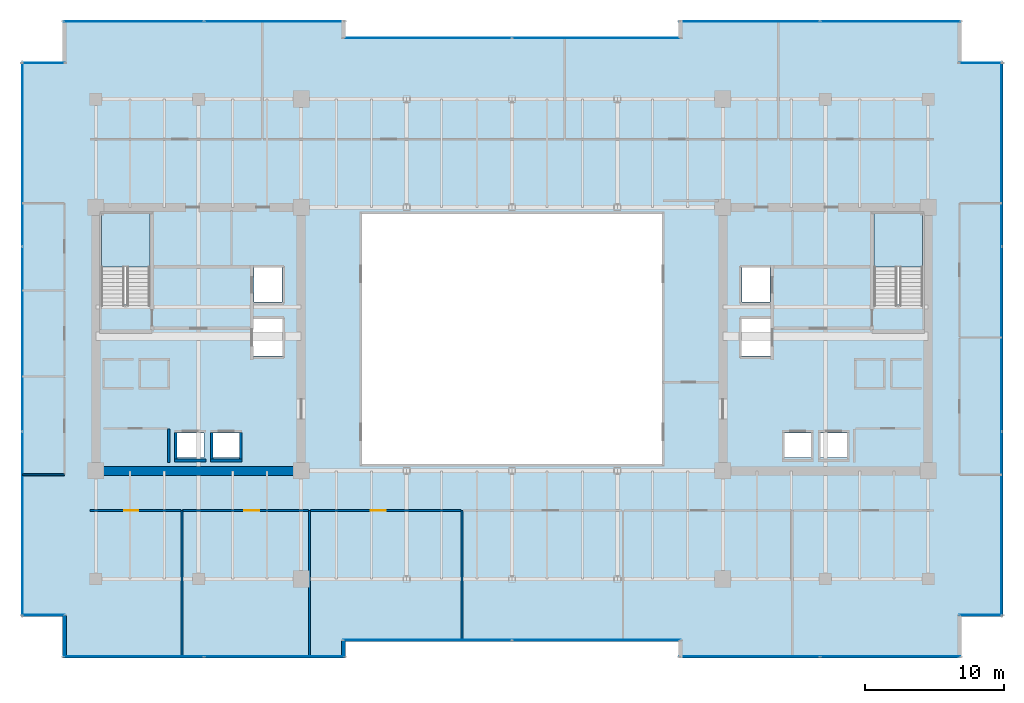
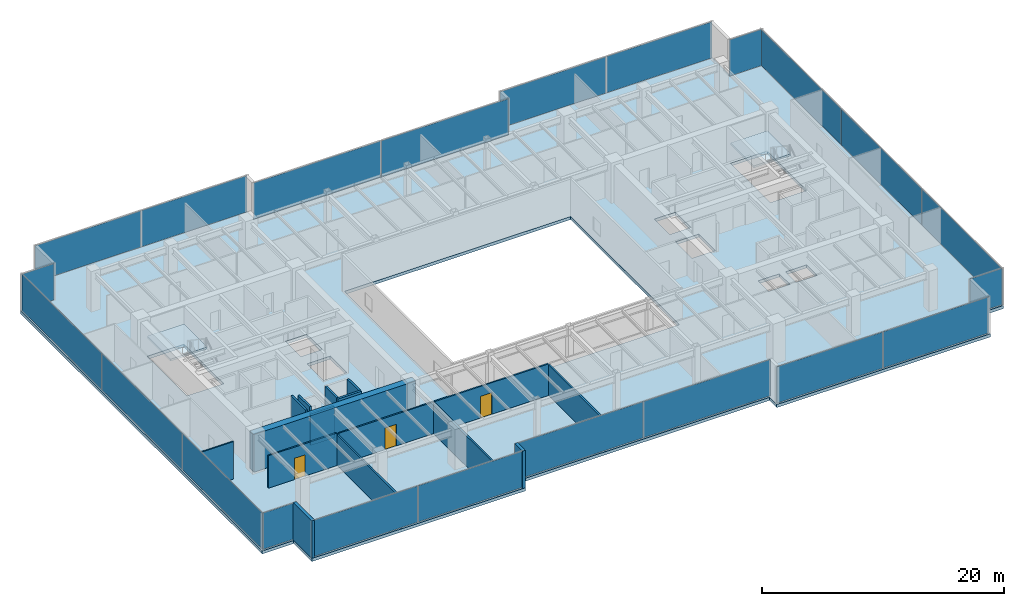
# One storey, part 24 of 30: 22 plates, 16 walls, 3 doors, 3 slabs, 3 openings, 14 elements without a shape of their own.
"""IFC4 building model written with IfcOpenShell, lengths in metres."""

from ifc_helpers import new_model, si_unit, direction, frame, frame_2d, origin, origin_2d, place, context, subcontext, project, spatial, polyline, rectangle, outline, extrude, source, transform, mapped, material, layer, layer_set, type_object, type_shapes, element, fill, aggregate, save


model = new_model("IFC4")

# Units and contexts
model_context = context("Model", 3, precision=1e-05, world=origin(), true_north=direction((0.0, 1.0)))
body_context = subcontext(model_context, "Body", "Model", "MODEL_VIEW")
ifc_project = project(units=[si_unit("LENGTHUNIT", "METRE"), si_unit("AREAUNIT", "SQUARE_METRE"), si_unit("VOLUMEUNIT", "CUBIC_METRE"), si_unit("PLANEANGLEUNIT", "RADIAN"), si_unit("MASSUNIT", "GRAM", prefix="KILO")], contexts=[model_context])

# Site, building, storey
site_placement = place(None, origin())
site = spatial("IfcSite", under=ifc_project, at=site_placement, CompositionType="ELEMENT")
building_placement = place(site_placement, origin())
building = spatial("IfcBuilding", under=site, at=building_placement, Name="Haelvirn Gate Laboratories", CompositionType="ELEMENT")
storey_placement = place(building_placement, frame((0.0, 0.0, 162.5)))
storey = spatial("IfcBuildingStorey", under=building, at=storey_placement, Name="L39", CompositionType="ELEMENT", Elevation=162.5)

# Stair, slab
ifc_material_1 = material(Name="Concrete C40/50", Category="concrete")
stair_type = type_object("IfcStairType", Name="ST-DOG-1650-R22", PredefinedType="HALF_TURN_STAIR", material=ifc_material_1)
stair_1_placement = place(storey_placement, origin())
stair_1 = element("IfcStair", 1, at=stair_1_placement, inside=storey, type_object=stair_type, Name="L39 Escape Stair ST1", PredefinedType="HALF_TURN_STAIR")
ifc_layer_1 = layer(ifc_material_1, 0.199951171875, Name="SL-STAIR-LND")
ifc_layer_set_1 = layer_set([ifc_layer_1], Name="Concrete C40/50")
slab_type_1 = type_object("IfcSlabType", Name="SL-STAIR-LND", PredefinedType="LANDING", material=ifc_layer_set_1)
slab_1_placement = place(storey_placement, frame((0.0, 0.0, 1.85009765625)))
slab_1 = element("IfcSlab", 2, at=slab_1_placement, type_object=slab_type_1, Name="ST1 landing 1", PredefinedType="LANDING", context=body_context, shape_type="SweptSolid", body=[
    extrude(outline(polyline([(11.300048828125, 29.5), (11.300048828125, 33.35009765625), (7.800048828125, 33.35009765625), (7.800048828125, 29.5), (11.300048828125, 29.5)])), origin(), (0.0, 0.0, 1.0), 0.199951171875),
])
aggregate(stair_1, [slab_1])

stair_2_placement = place(storey_placement, origin())
stair_2 = element("IfcStair", 3, at=stair_2_placement, inside=storey, type_object=stair_type, Name="L39 Escape Stair ST2", PredefinedType="HALF_TURN_STAIR")
slab_2_placement = place(storey_placement, frame((0.0, 0.0, 1.85009765625)))
slab_2 = element("IfcSlab", 4, at=slab_2_placement, type_object=slab_type_1, Name="ST2 landing 1", PredefinedType="LANDING", context=body_context, shape_type="SweptSolid", body=[
    extrude(outline(polyline([(67.0, 29.5), (67.0, 33.35009765625), (63.5, 33.35009765625), (63.5, 29.5), (67.0, 29.5)])), origin(), (0.0, 0.0, 1.0), 0.199951171875),
])
aggregate(stair_2, [slab_2])

# Slab
ifc_layer_2 = layer(ifc_material_1, 0.31005859375, Name="SL-Z2-310")
ifc_layer_set_2 = layer_set([ifc_layer_2], Name="Concrete C40/50")
slab_type_2 = type_object("IfcSlabType", Name="SL-Z2-310", PredefinedType="FLOOR", material=ifc_layer_set_2)
slab_3_placement = place(storey_placement, frame((0.0, 0.0, -0.31005859375)))
element("IfcSlab", 5, at=slab_3_placement, inside=storey, type_object=slab_type_2, Name="L39 Structural Slab MAIN", PredefinedType="FLOOR", context=body_context, shape_type="SweptSolid", body=[
    extrude(outline(polyline([(5.0, 1.300048828125), (25.39990234375, 1.300048828125), (25.39990234375, 2.5), (49.39990234375, 2.5), (49.39990234375, 1.300048828125), (69.800048828125, 1.300048828125), (69.800048828125, 4.300048828125), (72.800048828125, 4.300048828125), (72.800048828125, 44.300048828125), (69.800048828125, 44.300048828125), (69.800048828125, 47.300048828125), (49.39990234375, 47.300048828125), (49.39990234375, 46.10009765625), (25.39990234375, 46.10009765625), (25.39990234375, 47.300048828125), (5.0, 47.300048828125), (5.0, 44.300048828125), (2.0, 44.300048828125), (2.0, 4.300048828125), (5.0, 4.300048828125), (5.0, 1.300048828125)]), holes=[polyline([(26.60009765625, 15.300048828125), (48.199951171875, 15.300048828125), (48.199951171875, 33.300048828125), (26.60009765625, 33.300048828125), (26.60009765625, 15.300048828125)]), polyline([(11.300048828125, 26.780029296875), (11.300048828125, 33.35009765625), (7.800048828125, 33.35009765625), (7.800048828125, 26.780029296875), (11.300048828125, 26.780029296875)]), polyline([(67.0, 26.780029296875), (67.0, 33.35009765625), (63.5, 33.35009765625), (63.5, 26.780029296875), (67.0, 26.780029296875)]), polyline([(13.18994140625, 15.77001953125), (15.2099609375, 15.77001953125), (15.2099609375, 17.510009765625), (13.18994140625, 17.510009765625), (13.18994140625, 15.77001953125)]), polyline([(15.7900390625, 15.77001953125), (17.81005859375, 15.77001953125), (17.81005859375, 17.510009765625), (15.7900390625, 17.510009765625), (15.7900390625, 15.77001953125)]), polyline([(18.7900390625, 26.969970703125), (20.81005859375, 26.969970703125), (20.81005859375, 29.510009765625), (18.7900390625, 29.510009765625), (18.7900390625, 26.969970703125)]), polyline([(18.68994140625, 23.070068359375), (20.909912109375, 23.070068359375), (20.909912109375, 25.81005859375), (18.68994140625, 25.81005859375), (18.68994140625, 23.070068359375)]), polyline([(59.590087890625, 15.77001953125), (61.610107421875, 15.77001953125), (61.610107421875, 17.510009765625), (59.590087890625, 17.510009765625), (59.590087890625, 15.77001953125)]), polyline([(56.989990234375, 15.77001953125), (59.010009765625, 15.77001953125), (59.010009765625, 17.510009765625), (56.989990234375, 17.510009765625), (56.989990234375, 15.77001953125)]), polyline([(53.989990234375, 26.969970703125), (56.010009765625, 26.969970703125), (56.010009765625, 29.510009765625), (53.989990234375, 29.510009765625), (53.989990234375, 26.969970703125)]), polyline([(53.889892578125, 23.070068359375), (56.110107421875, 23.070068359375), (56.110107421875, 25.81005859375), (53.889892578125, 25.81005859375), (53.889892578125, 23.070068359375)])]), origin(), (0.0, 0.0, 1.0), 0.31005859375),
])

# Curtain wall, plates
ifc_material_2 = material(Name="Anodised bronze unitised aluminium & triple low-E glass", Category="aluminium")
ifc_layer_3 = layer(ifc_material_2, 0.179931640625, Name="CW-SYS-3")
ifc_layer_set_3 = layer_set([ifc_layer_3], Name="Anodised bronze unitised aluminium & triple low-E glass")
curtain_wall_type_1 = type_object("IfcCurtainWallType", Name="CW-SYS-3", PredefinedType="NOTDEFINED", material=ifc_layer_set_3)
curtain_wall_1_placement = place(storey_placement, origin())
curtain_wall_1 = element("IfcCurtainWall", 6, at=curtain_wall_1_placement, inside=storey, type_object=curtain_wall_type_1, Name="L39 Unitised Curtain Wall CW-L39-P0-E00-1", PredefinedType="NOTDEFINED")
ifc_material_3 = material(Name="High-selectivity bronze triple IGU 40 mm", Category="glass")
ifc_layer_4 = layer(ifc_material_3, 0.0400390625, Name="CWP-IGU-40")
ifc_layer_set_4 = layer_set([ifc_layer_4], Name="High-selectivity bronze triple IGU 40 mm")
plate_type_1 = type_object("IfcPlateType", Name="CWP-IGU-40", PredefinedType="CURTAIN_PANEL", material=ifc_layer_set_4)
shared_shape_1 = source(origin(), body_context, "Body", "SweptSolid", [
    extrude(rectangle(XDim=10.08740234375, YDim=0.0400390625, at=origin_2d()), origin(), (0.0, 0.0, 1.0), 3.659912109375),
])
plate_1_placement = place(storey_placement, frame((10.11865234375, 1.39990234375, 0.06494140625), z_axis=(0.0, 0.0, 1.0), x_axis=(1.0, 0.0, 0.0)))
plate_1 = element("IfcPlate", 7, at=plate_1_placement, type_object=plate_type_1, Name="CW3 panel 1.1", PredefinedType="CURTAIN_PANEL", context=body_context, shape_type="MappedRepresentation", body=[
    mapped(shared_shape_1, transform((0.0, 0.0, 0.0), scale=1.0)),
])
plate_2_placement = place(storey_placement, frame((20.28125, 1.39990234375, 0.06494140625), z_axis=(0.0, 0.0, 1.0), x_axis=(1.0, 0.0, 0.0)))
plate_2 = element("IfcPlate", 8, at=plate_2_placement, type_object=plate_type_1, Name="CW3 panel 2.1", PredefinedType="CURTAIN_PANEL", context=body_context, shape_type="MappedRepresentation", body=[
    mapped(shared_shape_1, transform((0.0, 0.0, 0.0), scale=1.0)),
])
aggregate(curtain_wall_1, [plate_1, plate_2])

curtain_wall_2_placement = place(storey_placement, origin())
curtain_wall_2 = element("IfcCurtainWall", 9, at=curtain_wall_2_placement, inside=storey, type_object=curtain_wall_type_1, Name="L39 Unitised Curtain Wall CW-L39-P0-E04-1", PredefinedType="NOTDEFINED")
plate_3_placement = place(storey_placement, frame((54.518798828125, 1.39990234375, 0.06494140625), z_axis=(0.0, 0.0, 1.0), x_axis=(1.0, 0.0, 0.0)))
plate_3 = element("IfcPlate", 10, at=plate_3_placement, type_object=plate_type_1, Name="CW3 panel 1.1", PredefinedType="CURTAIN_PANEL", context=body_context, shape_type="MappedRepresentation", body=[
    mapped(shared_shape_1, transform((0.0, 0.0, 0.0), scale=1.0)),
])
plate_4_placement = place(storey_placement, frame((64.68115234375, 1.39990234375, 0.06494140625), z_axis=(0.0, 0.0, 1.0), x_axis=(1.0, 0.0, 0.0)))
plate_4 = element("IfcPlate", 11, at=plate_4_placement, type_object=plate_type_1, Name="CW3 panel 2.1", PredefinedType="CURTAIN_PANEL", context=body_context, shape_type="MappedRepresentation", body=[
    mapped(shared_shape_1, transform((0.0, 0.0, 0.0), scale=1.0)),
])
aggregate(curtain_wall_2, [plate_3, plate_4])

curtain_wall_3_placement = place(storey_placement, origin())
curtain_wall_3 = element("IfcCurtainWall", 12, at=curtain_wall_3_placement, inside=storey, type_object=curtain_wall_type_1, Name="L39 Unitised Curtain Wall CW-L39-P0-E10-1", PredefinedType="NOTDEFINED")
plate_5_placement = place(storey_placement, frame((54.518798828125, 47.199951171875, 0.06494140625), z_axis=(0.0, 0.0, 1.0), x_axis=(1.0, 0.0, 0.0)))
plate_5 = element("IfcPlate", 13, at=plate_5_placement, type_object=plate_type_1, Name="CW3 panel 1.1", PredefinedType="CURTAIN_PANEL", context=body_context, shape_type="MappedRepresentation", body=[
    mapped(shared_shape_1, transform((0.0, 0.0, 0.0), scale=1.0)),
])
plate_6_placement = place(storey_placement, frame((64.68115234375, 47.199951171875, 0.06494140625), z_axis=(0.0, 0.0, 1.0), x_axis=(1.0, 0.0, 0.0)))
plate_6 = element("IfcPlate", 14, at=plate_6_placement, type_object=plate_type_1, Name="CW3 panel 2.1", PredefinedType="CURTAIN_PANEL", context=body_context, shape_type="MappedRepresentation", body=[
    mapped(shared_shape_1, transform((0.0, 0.0, 0.0), scale=1.0)),
])
aggregate(curtain_wall_3, [plate_5, plate_6])

curtain_wall_4_placement = place(storey_placement, origin())
curtain_wall_4 = element("IfcCurtainWall", 15, at=curtain_wall_4_placement, inside=storey, type_object=curtain_wall_type_1, Name="L39 Unitised Curtain Wall CW-L39-P0-E14-1", PredefinedType="NOTDEFINED")
plate_7_placement = place(storey_placement, frame((10.11865234375, 47.199951171875, 0.06494140625), z_axis=(0.0, 0.0, 1.0), x_axis=(1.0, 0.0, 0.0)))
plate_7 = element("IfcPlate", 16, at=plate_7_placement, type_object=plate_type_1, Name="CW3 panel 1.1", PredefinedType="CURTAIN_PANEL", context=body_context, shape_type="MappedRepresentation", body=[
    mapped(shared_shape_1, transform((0.0, 0.0, 0.0), scale=1.0)),
])
plate_8_placement = place(storey_placement, frame((20.28125, 47.199951171875, 0.06494140625), z_axis=(0.0, 0.0, 1.0), x_axis=(1.0, 0.0, 0.0)))
plate_8 = element("IfcPlate", 17, at=plate_8_placement, type_object=plate_type_1, Name="CW3 panel 2.1", PredefinedType="CURTAIN_PANEL", context=body_context, shape_type="MappedRepresentation", body=[
    mapped(shared_shape_1, transform((0.0, 0.0, 0.0), scale=1.0)),
])
aggregate(curtain_wall_4, [plate_7, plate_8])

curtain_wall_5_placement = place(storey_placement, origin())
curtain_wall_5 = element("IfcCurtainWall", 18, at=curtain_wall_5_placement, inside=storey, type_object=curtain_wall_type_1, Name="L39 Unitised Curtain Wall CW-L39-P0-E02-1", PredefinedType="NOTDEFINED")
shared_shape_2 = source(origin(), body_context, "Body", "SweptSolid", [
    extrude(rectangle(XDim=12.12744140625, YDim=0.0400390625, at=origin_2d()), origin(), (0.0, 0.0, 1.0), 3.659912109375),
])
plate_9_placement = place(storey_placement, frame((31.298828125, 2.60009765625, 0.06494140625), z_axis=(0.0, 0.0, 1.0), x_axis=(1.0, 0.0, 0.0)))
plate_9 = element("IfcPlate", 19, at=plate_9_placement, type_object=plate_type_1, Name="CW3 panel 1.1", PredefinedType="CURTAIN_PANEL", context=body_context, shape_type="MappedRepresentation", body=[
    mapped(shared_shape_2, transform((0.0, 0.0, 0.0), scale=1.0)),
])
plate_10_placement = place(storey_placement, frame((43.501220703125, 2.60009765625, 0.06494140625), z_axis=(0.0, 0.0, 1.0), x_axis=(1.0, 0.0, 0.0)))
plate_10 = element("IfcPlate", 20, at=plate_10_placement, type_object=plate_type_1, Name="CW3 panel 2.1", PredefinedType="CURTAIN_PANEL", context=body_context, shape_type="MappedRepresentation", body=[
    mapped(shared_shape_2, transform((0.0, 0.0, 0.0), scale=1.0)),
])
aggregate(curtain_wall_5, [plate_9, plate_10])

curtain_wall_6_placement = place(storey_placement, origin())
curtain_wall_6 = element("IfcCurtainWall", 21, at=curtain_wall_6_placement, inside=storey, type_object=curtain_wall_type_1, Name="L39 Unitised Curtain Wall CW-L39-P0-E12-1", PredefinedType="NOTDEFINED")
plate_11_placement = place(storey_placement, frame((31.298828125, 46.0, 0.06494140625), z_axis=(0.0, 0.0, 1.0), x_axis=(1.0, 0.0, 0.0)))
plate_11 = element("IfcPlate", 22, at=plate_11_placement, type_object=plate_type_1, Name="CW3 panel 1.1", PredefinedType="CURTAIN_PANEL", context=body_context, shape_type="MappedRepresentation", body=[
    mapped(shared_shape_2, transform((0.0, 0.0, 0.0), scale=1.0)),
])
plate_12_placement = place(storey_placement, frame((43.501220703125, 46.0, 0.06494140625), z_axis=(0.0, 0.0, 1.0), x_axis=(1.0, 0.0, 0.0)))
plate_12 = element("IfcPlate", 23, at=plate_12_placement, type_object=plate_type_1, Name="CW3 panel 2.1", PredefinedType="CURTAIN_PANEL", context=body_context, shape_type="MappedRepresentation", body=[
    mapped(shared_shape_2, transform((0.0, 0.0, 0.0), scale=1.0)),
])
aggregate(curtain_wall_6, [plate_11, plate_12])

# Curtain wall, plate
ifc_layer_5 = layer(ifc_material_2, 0.181884765625, Name="CW-SYS-5")
ifc_layer_set_5 = layer_set([ifc_layer_5], Name="Anodised bronze unitised aluminium & triple low-E glass")
curtain_wall_type_2 = type_object("IfcCurtainWallType", Name="CW-SYS-5", PredefinedType="NOTDEFINED", material=ifc_layer_set_5)
curtain_wall_7_placement = place(storey_placement, origin())
curtain_wall_7 = element("IfcCurtainWall", 24, at=curtain_wall_7_placement, inside=storey, type_object=curtain_wall_type_2, Name="L39 Unitised Curtain Wall CW-L39-P0-E06-1", PredefinedType="NOTDEFINED")
ifc_material_4 = material(Name="Clear low-iron notched-corner triple IGU 42 mm", Category="glass")
ifc_layer_6 = layer(ifc_material_4, 0.0419921875, Name="CWP-NTC-42")
ifc_layer_set_6 = layer_set([ifc_layer_6], Name="Clear low-iron notched-corner triple IGU 42 mm")
plate_type_2 = type_object("IfcPlateType", Name="CWP-NTC-42", PredefinedType="CURTAIN_PANEL", material=ifc_layer_set_6)
shared_shape_3 = source(origin(), body_context, "Body", "SweptSolid", [
    extrude(rectangle(XDim=3.080078125, YDim=0.0419921875, at=origin_2d()), origin(), (0.0, 0.0, 1.0), 3.659912109375),
])
type_shapes(plate_type_2, [shared_shape_3])
plate_13_placement = place(storey_placement, frame((71.179931640625, 4.39990234375, 0.06494140625), z_axis=(0.0, 0.0, 1.0), x_axis=(1.0, 0.0, 0.0)))
plate_13 = element("IfcPlate", 25, at=plate_13_placement, type_object=plate_type_2, Name="CW5 panel 1.1", PredefinedType="CURTAIN_PANEL", context=body_context, shape_type="MappedRepresentation", body=[
    mapped(shared_shape_3, transform((0.0, 0.0, 0.0), scale=1.0)),
])
aggregate(curtain_wall_7, [plate_13])

curtain_wall_8_placement = place(storey_placement, origin())
curtain_wall_8 = element("IfcCurtainWall", 26, at=curtain_wall_8_placement, inside=storey, type_object=curtain_wall_type_2, Name="L39 Unitised Curtain Wall CW-L39-P0-E08-1", PredefinedType="NOTDEFINED")
plate_14_placement = place(storey_placement, frame((71.179931640625, 44.199951171875, 0.06494140625), z_axis=(0.0, 0.0, 1.0), x_axis=(1.0, 0.0, 0.0)))
plate_14 = element("IfcPlate", 27, at=plate_14_placement, type_object=plate_type_2, Name="CW5 panel 1.1", PredefinedType="CURTAIN_PANEL", context=body_context, shape_type="MappedRepresentation", body=[
    mapped(shared_shape_3, transform((0.0, 0.0, 0.0), scale=1.0)),
])
aggregate(curtain_wall_8, [plate_14])

curtain_wall_9_placement = place(storey_placement, origin())
curtain_wall_9 = element("IfcCurtainWall", 28, at=curtain_wall_9_placement, inside=storey, type_object=curtain_wall_type_2, Name="L39 Unitised Curtain Wall CW-L39-P0-E16-1", PredefinedType="NOTDEFINED")
plate_15_placement = place(storey_placement, frame((3.6201171875, 44.199951171875, 0.06494140625), z_axis=(0.0, 0.0, 1.0), x_axis=(1.0, 0.0, 0.0)))
plate_15 = element("IfcPlate", 29, at=plate_15_placement, type_object=plate_type_2, Name="CW5 panel 1.1", PredefinedType="CURTAIN_PANEL", context=body_context, shape_type="MappedRepresentation", body=[
    mapped(shared_shape_3, transform((0.0, 0.0, 0.0), scale=1.0)),
])
aggregate(curtain_wall_9, [plate_15])

curtain_wall_10_placement = place(storey_placement, origin())
curtain_wall_10 = element("IfcCurtainWall", 30, at=curtain_wall_10_placement, inside=storey, type_object=curtain_wall_type_2, Name="L39 Unitised Curtain Wall CW-L39-P0-E18-1", PredefinedType="NOTDEFINED")
plate_16_placement = place(storey_placement, frame((3.6201171875, 4.39990234375, 0.06494140625), z_axis=(0.0, 0.0, 1.0), x_axis=(1.0, 0.0, 0.0)))
plate_16 = element("IfcPlate", 31, at=plate_16_placement, type_object=plate_type_2, Name="CW5 panel 1.1", PredefinedType="CURTAIN_PANEL", context=body_context, shape_type="MappedRepresentation", body=[
    mapped(shared_shape_3, transform((0.0, 0.0, 0.0), scale=1.0)),
])
aggregate(curtain_wall_10, [plate_16])

# Curtain wall, plates
curtain_wall_11_placement = place(storey_placement, origin())
curtain_wall_11 = element("IfcCurtainWall", 32, at=curtain_wall_11_placement, inside=storey, type_object=curtain_wall_type_1, Name="L39 Unitised Curtain Wall CW-L39-P0-E07", PredefinedType="NOTDEFINED")
shared_shape_4 = source(origin(), body_context, "Body", "SweptSolid", [
    extrude(rectangle(XDim=13.220947265625, YDim=0.0400390625, at=origin_2d()), origin(), (0.0, 0.0, 1.0), 3.659912109375),
])
plate_17_placement = place(storey_placement, frame((72.699951171875, 10.9853515625, 0.06494140625), z_axis=(0.0, 0.0, 1.0), x_axis=(0.0, 1.0, 0.0)))
plate_17 = element("IfcPlate", 33, at=plate_17_placement, type_object=plate_type_1, Name="CW3 panel 1.1", PredefinedType="CURTAIN_PANEL", context=body_context, shape_type="MappedRepresentation", body=[
    mapped(shared_shape_4, transform((0.0, 0.0, 0.0), scale=1.0)),
])
plate_18_placement = place(storey_placement, frame((72.699951171875, 37.614501953125, 0.06494140625), z_axis=(0.0, 0.0, 1.0), x_axis=(0.0, 1.0, 0.0)))
plate_18 = element("IfcPlate", 34, at=plate_18_placement, type_object=plate_type_1, Name="CW3 panel 3.1", PredefinedType="CURTAIN_PANEL", context=body_context, shape_type="MappedRepresentation", body=[
    mapped(shared_shape_4, transform((0.0, 0.0, 0.0), scale=1.0)),
])

curtain_wall_12_placement = place(storey_placement, origin())
curtain_wall_12 = element("IfcCurtainWall", 35, at=curtain_wall_12_placement, inside=storey, type_object=curtain_wall_type_1, Name="L39 Unitised Curtain Wall CW-L39-P0-E17", PredefinedType="NOTDEFINED")
plate_19_placement = place(storey_placement, frame((2.10009765625, 37.614501953125, 0.06494140625), z_axis=(0.0, 0.0, 1.0), x_axis=(0.0, -1.0, 0.0)))
plate_19 = element("IfcPlate", 36, at=plate_19_placement, type_object=plate_type_1, Name="CW3 panel 1.1", PredefinedType="CURTAIN_PANEL", context=body_context, shape_type="MappedRepresentation", body=[
    mapped(shared_shape_4, transform((0.0, 0.0, 0.0), scale=1.0)),
])
plate_20_placement = place(storey_placement, frame((2.10009765625, 10.9853515625, 0.06494140625), z_axis=(0.0, 0.0, 1.0), x_axis=(0.0, -1.0, 0.0)))
plate_20 = element("IfcPlate", 37, at=plate_20_placement, type_object=plate_type_1, Name="CW3 panel 3.1", PredefinedType="CURTAIN_PANEL", context=body_context, shape_type="MappedRepresentation", body=[
    mapped(shared_shape_4, transform((0.0, 0.0, 0.0), scale=1.0)),
])

# Plate
shared_shape_5 = source(origin(), body_context, "Body", "SweptSolid", [
    extrude(rectangle(XDim=13.25830078125, YDim=0.0400390625, at=origin_2d()), origin(), (0.0, 0.0, 1.0), 3.659912109375),
])
type_shapes(plate_type_1, [shared_shape_1, shared_shape_2, shared_shape_4, shared_shape_5])
plate_21_placement = place(storey_placement, frame((72.699951171875, 24.300048828125, 0.06494140625), z_axis=(0.0, 0.0, 1.0), x_axis=(0.0, 1.0, 0.0)))
plate_21 = element("IfcPlate", 38, at=plate_21_placement, type_object=plate_type_1, Name="CW3 panel 2.1", PredefinedType="CURTAIN_PANEL", context=body_context, shape_type="MappedRepresentation", body=[
    mapped(shared_shape_5, transform((0.0, 0.0, 0.0), scale=1.0)),
])

aggregate(curtain_wall_11, [plate_17, plate_21, plate_18])

plate_22_placement = place(storey_placement, frame((2.10009765625, 24.300048828125, 0.06494140625), z_axis=(0.0, 0.0, 1.0), x_axis=(0.0, -1.0, 0.0)))
plate_22 = element("IfcPlate", 39, at=plate_22_placement, type_object=plate_type_1, Name="CW3 panel 2.1", PredefinedType="CURTAIN_PANEL", context=body_context, shape_type="MappedRepresentation", body=[
    mapped(shared_shape_5, transform((0.0, 0.0, 0.0), scale=1.0)),
])

aggregate(curtain_wall_12, [plate_19, plate_22, plate_20])

# Walls
ifc_material_5 = material(Name="Thermally-broken bronze aluminium rainscreen & mineral wool", Category="aluminium")
ifc_layer_7 = layer(ifc_material_5, 0.280029296875, Name="EW-TERR-280")
ifc_layer_set_7 = layer_set([ifc_layer_7], Name="Thermally-broken bronze aluminium rainscreen & mineral wool")
wall_type_1 = type_object("IfcWallType", Name="EW-TERR-280", PredefinedType="STANDARD", material=ifc_layer_set_7)
wall_1_placement = place(storey_placement, frame((25.260009765625, 1.300048828125, 0.0), z_axis=(0.0, 0.0, 1.0), x_axis=(0.0, 1.0, 0.0)))
element("IfcWall", 40, at=wall_1_placement, inside=storey, type_object=wall_type_1, Name="L39 Atrium Recess Bronze Return Wall 01", PredefinedType="STANDARD", context=body_context, shape_type="SweptSolid", body=[
    extrude(rectangle(XDim=1.287841796875, YDim=0.280029296875, at=frame_2d((0.64404296875, 0.0))), origin(), (0.0, 0.0, 1.0), 3.7900390625),
])
wall_2_placement = place(storey_placement, frame((5.139892578125, 4.387939453125, 0.0), z_axis=(0.0, 0.0, 1.0), x_axis=(0.0, -1.0, 0.0)))
element("IfcWall", 41, at=wall_2_placement, inside=storey, type_object=wall_type_1, Name="L39 Atrium Recess Bronze Return Wall 19", PredefinedType="STANDARD", context=body_context, shape_type="SweptSolid", body=[
    extrude(rectangle(XDim=3.087890625, YDim=0.280029296875, at=frame_2d((1.5439453125, 0.0))), origin(), (0.0, 0.0, 1.0), 3.7900390625),
])
ifc_material_6 = material(Name="Double-layer acoustic gypsum laboratory partition", Category="gypsum")
ifc_layer_8 = layer(ifc_material_6, 0.159912109375, Name="IW-ACOUST-160")
ifc_layer_set_8 = layer_set([ifc_layer_8], Name="Double-layer acoustic gypsum laboratory partition")
wall_type_2 = type_object("IfcWallType", Name="IW-ACOUST-160", PredefinedType="PARTITIONING", material=ifc_layer_set_8)
for number, where, z_axis, x_axis, name in (
    (42, (13.60009765625, 1.409912109375, 0.0), (0.0, 0.0, 1.0), (0.0, 1.0, 0.0), "L39 Interior Wall IW-L39-SDIV-01"),
    (43, (22.800048828125, 1.409912109375, 0.0), (0.0, 0.0, 1.0), (0.0, 1.0, 0.0), "L39 Interior Wall IW-L39-SDIV-02"),
):
    element("IfcWall", number, at=place(storey_placement, frame(where, z_axis=z_axis, x_axis=x_axis)), inside=storey, type_object=wall_type_2, Name=name, PredefinedType="PARTITIONING", context=body_context, shape_type="SweptSolid", body=[
        extrude(rectangle(XDim=10.530029296875, YDim=0.159912109375, at=frame_2d((5.26513671875, 0.0))), origin(), (0.0, 0.0, 1.0), 3.074951171875),
    ])
wall_3_placement = place(storey_placement, frame((33.800048828125, 2.610107421875, 0.0), z_axis=(0.0, 0.0, 1.0), x_axis=(0.0, 1.0, 0.0)))
element("IfcWall", 44, at=wall_3_placement, inside=storey, type_object=wall_type_2, Name="L39 Interior Wall IW-L39-SDIV-03", PredefinedType="PARTITIONING", context=body_context, shape_type="SweptSolid", body=[
    extrude(rectangle(XDim=9.329833984375, YDim=0.159912109375, at=frame_2d((4.6650390625, 0.0))), origin(), (0.0, 0.0, 1.0), 3.074951171875),
])
ifc_material_7 = material(Name="Lightweight acoustic gypsum board partition", Category="gypsum")
ifc_layer_9 = layer(ifc_material_7, 0.1201171875, Name="IW-PART-120")
ifc_layer_set_9 = layer_set([ifc_layer_9], Name="Lightweight acoustic gypsum board partition")
wall_type_3 = type_object("IfcWallType", Name="IW-PART-120", PredefinedType="PARTITIONING", material=ifc_layer_set_9)
wall_4_placement = place(storey_placement, frame((2.110107421875, 14.514892578125, 0.0), z_axis=(0.0, 0.0, 1.0), x_axis=(1.0, 0.0, 0.0)))
element("IfcWall", 45, at=wall_4_placement, inside=storey, type_object=wall_type_3, Name="L39 Interior Wall IW-L39-WCAP-S", PredefinedType="PARTITIONING", context=body_context, shape_type="SweptSolid", body=[
    extrude(rectangle(XDim=3.019775390625, YDim=0.1201171875, at=frame_2d((1.509765625, 0.0))), origin(), (0.0, 0.0, 1.0), 3.7900390625),
])

# Wall, opening, door
ifc_material_8 = material(Name="Acoustic mineral-wool gypsum board partition", Category="gypsum")
ifc_layer_10 = layer(ifc_material_8, 0.139892578125, Name="IW-PART-140")
ifc_layer_set_10 = layer_set([ifc_layer_10], Name="Acoustic mineral-wool gypsum board partition")
wall_type_4 = type_object("IfcWallType", Name="IW-PART-140", PredefinedType="PARTITIONING", material=ifc_layer_set_10)
wall_5_placement = place(storey_placement, frame((6.97998046875, 11.93994140625, 0.0), z_axis=(0.0, 0.0, 1.0), x_axis=(1.0, 0.0, 0.0)))
wall_5 = element("IfcWall", 46, at=wall_5_placement, inside=storey, type_object=wall_type_4, Name="L39 Interior Wall IW-L39-SCORR-01", PredefinedType="PARTITIONING", context=body_context, shape_type="SweptSolid", body=[
    extrude(rectangle(XDim=6.5400390625, YDim=0.139892578125, at=frame_2d((3.27001953125, 0.0))), origin(), (0.0, 0.0, 1.0), 3.27490234375),
])
opening_1_placement = place(wall_5_placement, frame((2.4794921875, 0.0, 0.0)))
opening_1 = element("IfcOpeningElement", 47, at=opening_1_placement, cuts=wall_5, Name="Opening D2", PredefinedType="OPENING", context=body_context, shape_type="SweptSolid", body=[
    extrude(rectangle(XDim=1.0, YDim=2.14990234375, at=frame_2d((0.5, 1.074951171875))), frame((0.0, 0.080078125, 0.0), z_axis=(0.0, -1.0, 0.0), x_axis=(1.0, 0.0, 0.0)), (0.0, 0.0, 1.0), 0.159912109375),
])
ifc_material_9 = material(Name="Acoustic solid-core timber suite door", Category="wood")
door_type_1 = type_object("IfcDoorType", Name="DR-INT-1000", OperationType="NOTDEFINED", PredefinedType="DOOR", material=ifc_material_9)
shared_shape_6 = source(origin(), body_context, "Body", "SweptSolid", [
    extrude(rectangle(XDim=1.0, YDim=2.14990234375, at=frame_2d((0.5, 1.074951171875))), frame((0.0, 0.02490234375, 0.0), z_axis=(0.0, -1.0, 0.0), x_axis=(1.0, 0.0, 0.0)), (0.0, 0.0, 1.0), 0.050048828125),
])
type_shapes(door_type_1, [shared_shape_6])
door_1_placement = place(opening_1_placement, origin())
door_1 = element("IfcDoor", 48, at=door_1_placement, inside=storey, type_object=door_type_1, Name="L39 Bioinformatics Dry-Lab Workspace Door S1", OperationType="SINGLE_SWING_RIGHT", OverallHeight=2.14990234375, OverallWidth=1.0, PredefinedType="DOOR", context=body_context, shape_type="MappedRepresentation", body=[
    mapped(shared_shape_6, transform((0.0, 0.0, 0.0), scale=1.0)),
])
fill(opening_1, door_1)

wall_6_placement = place(storey_placement, frame((13.679931640625, 11.93994140625, 0.0), z_axis=(0.0, 0.0, 1.0), x_axis=(1.0, 0.0, 0.0)))
wall_6 = element("IfcWall", 49, at=wall_6_placement, inside=storey, type_object=wall_type_4, Name="L39 Interior Wall IW-L39-SCORR-02", PredefinedType="PARTITIONING", context=body_context, shape_type="SweptSolid", body=[
    extrude(rectangle(XDim=9.0400390625, YDim=0.139892578125, at=frame_2d((4.52001953125, 0.0))), origin(), (0.0, 0.0, 1.0), 3.18701171875),
])
opening_2_placement = place(wall_6_placement, frame((4.404296875, 0.0, 0.0)))
opening_2 = element("IfcOpeningElement", 50, at=opening_2_placement, cuts=wall_6, Name="Opening D1", PredefinedType="OPENING", context=body_context, shape_type="SweptSolid", body=[
    extrude(rectangle(XDim=1.10009765625, YDim=2.179931640625, at=frame_2d((0.550048828125, 1.08984375))), frame((0.0, 0.080078125, 0.0), z_axis=(0.0, -1.0, 0.0), x_axis=(1.0, 0.0, 0.0)), (0.0, 0.0, 1.0), 0.159912109375),
])
ifc_material_10 = material(Name="Vision-panel acoustic solid-core timber lab door", Category="wood")
door_type_2 = type_object("IfcDoorType", Name="DR-LAB-1100", OperationType="NOTDEFINED", PredefinedType="DOOR", material=ifc_material_10)
shared_shape_7 = source(origin(), body_context, "Body", "SweptSolid", [
    extrude(rectangle(XDim=1.10009765625, YDim=2.179931640625, at=frame_2d((0.550048828125, 1.08984375))), frame((0.0, 0.02490234375, 0.0), z_axis=(0.0, -1.0, 0.0), x_axis=(1.0, 0.0, 0.0)), (0.0, 0.0, 1.0), 0.050048828125),
])
type_shapes(door_type_2, [shared_shape_7])
door_2_placement = place(opening_2_placement, origin())
door_2 = element("IfcDoor", 51, at=door_2_placement, inside=storey, type_object=door_type_2, Name="L39 Translational Data Office Door S2", OperationType="SINGLE_SWING_LEFT", OverallHeight=2.179931640625, OverallWidth=1.10009765625, PredefinedType="DOOR", context=body_context, shape_type="MappedRepresentation", body=[
    mapped(shared_shape_7, transform((0.0, 0.0, 0.0), scale=1.0)),
])
fill(opening_2, door_2)

wall_7_placement = place(storey_placement, frame((22.8798828125, 11.93994140625, 0.0), z_axis=(0.0, 0.0, 1.0), x_axis=(1.0, 0.0, 0.0)))
wall_7 = element("IfcWall", 52, at=wall_7_placement, inside=storey, type_object=wall_type_4, Name="L39 Interior Wall IW-L39-SCORR-03", PredefinedType="PARTITIONING", context=body_context, shape_type="SweptSolid", body=[
    extrude(rectangle(XDim=10.840087890625, YDim=0.139892578125, at=frame_2d((5.419921875, 0.0))), origin(), (0.0, 0.0, 1.0), 3.18701171875),
])
opening_3_placement = place(wall_7_placement, frame((4.32763671875, 0.0, 0.0)))
opening_3 = element("IfcOpeningElement", 53, at=opening_3_placement, cuts=wall_7, Name="Opening D1", PredefinedType="OPENING", context=body_context, shape_type="SweptSolid", body=[
    extrude(rectangle(XDim=1.10009765625, YDim=2.179931640625, at=frame_2d((0.550048828125, 1.08984375))), frame((0.0, 0.080078125, 0.0), z_axis=(0.0, -1.0, 0.0), x_axis=(1.0, 0.0, 0.0)), (0.0, 0.0, 1.0), 0.159912109375),
])
door_3_placement = place(opening_3_placement, origin())
door_3 = element("IfcDoor", 54, at=door_3_placement, inside=storey, type_object=door_type_2, Name="L39 Peer-Review Seminar Room Door S3", OperationType="SINGLE_SWING_RIGHT", OverallHeight=2.179931640625, OverallWidth=1.10009765625, PredefinedType="DOOR", context=body_context, shape_type="MappedRepresentation", body=[
    mapped(shared_shape_7, transform((0.0, 0.0, 0.0), scale=1.0)),
])
fill(opening_3, door_3)

# Walls
ifc_layer_11 = layer(ifc_material_1, 0.179931640625, Name="IW-SHAFT-180")
ifc_layer_set_11 = layer_set([ifc_layer_11], Name="Concrete C40/50")
wall_type_5 = type_object("IfcWallType", Name="IW-SHAFT-180", PredefinedType="SOLIDWALL", material=ifc_layer_set_11)
for number, where, z_axis, x_axis, name in (
    (55, (13.14990234375, 15.64990234375, 0.0), (0.0, 0.0, 1.0), (0.0, 1.0, 0.0), "L39 Interior Wall IW-L39-PL5-SD"),
    (56, (15.75, 15.64990234375, 0.0), (0.0, 0.0, 1.0), (0.0, 1.0, 0.0), "L39 Interior Wall IW-L39-PL6-SD"),
    (57, (17.85009765625, 15.64990234375, 0.0), (0.0, 0.0, 1.0), (0.0, 1.0, 0.0), "L39 Interior Wall IW-L39-PL6-SDE"),
):
    element("IfcWall", number, at=place(storey_placement, frame(where, z_axis=z_axis, x_axis=x_axis)), inside=storey, type_object=wall_type_5, Name=name, PredefinedType="SOLIDWALL", context=body_context, shape_type="SweptSolid", body=[
        extrude(rectangle(XDim=1.900146484375, YDim=0.179931640625, at=frame_2d((0.9501953125, 0.0))), origin(), (0.0, 0.0, 1.0), 3.7900390625),
    ])
wall_8_placement = place(storey_placement, frame((12.639892578125, 15.39990234375, 0.0), z_axis=(0.0, 0.0, 1.0), x_axis=(0.0, 1.0, 0.0)))
element("IfcWall", 58, at=wall_8_placement, inside=storey, type_object=wall_type_5, Name="L39 Interior Wall IW-L39-W-FREED-LE-1", PredefinedType="SOLIDWALL", context=body_context, shape_type="SweptSolid", body=[
    extrude(rectangle(XDim=2.400146484375, YDim=0.179931640625, at=frame_2d((1.2001953125, 0.0))), origin(), (0.0, 0.0, 1.0), 3.7900390625),
])
ifc_layer_12 = layer(ifc_material_1, 0.199951171875, Name="IW-SHAFT-200")
ifc_layer_set_12 = layer_set([ifc_layer_12], Name="Concrete C40/50")
wall_type_6 = type_object("IfcWallType", Name="IW-SHAFT-200", PredefinedType="SOLIDWALL", material=ifc_layer_set_12)
wall_9_placement = place(storey_placement, frame((13.070068359375, 15.550048828125, 0.0), z_axis=(0.0, 0.0, 1.0), x_axis=(1.0, 0.0, 0.0)))
element("IfcWall", 59, at=wall_9_placement, inside=storey, type_object=wall_type_6, Name="L39 Interior Wall IW-L39-PL5-BK", PredefinedType="SOLIDWALL", context=body_context, shape_type="SweptSolid", body=[
    extrude(rectangle(XDim=2.260009765625, YDim=0.199951171875, at=frame_2d((1.1298828125, 0.0))), origin(), (0.0, 0.0, 1.0), 3.18701171875),
])
wall_10_placement = place(storey_placement, frame((15.669921875, 15.550048828125, 0.0), z_axis=(0.0, 0.0, 1.0), x_axis=(1.0, 0.0, 0.0)))
element("IfcWall", 60, at=wall_10_placement, inside=storey, type_object=wall_type_6, Name="L39 Interior Wall IW-L39-PL6-BK", PredefinedType="SOLIDWALL", context=body_context, shape_type="SweptSolid", body=[
    extrude(rectangle(XDim=2.260009765625, YDim=0.199951171875, at=frame_2d((1.1298828125, 0.0))), origin(), (0.0, 0.0, 1.0), 3.7900390625),
])
ifc_material_11 = material(Name="Concrete C60/75", Category="concrete")
ifc_layer_13 = layer(ifc_material_11, 0.64990234375, Name="SW-CORE-650")
ifc_layer_set_13 = layer_set([ifc_layer_13], Name="Concrete C60/75")
wall_type_7 = type_object("IfcWallType", Name="SW-CORE-650", PredefinedType="SHEAR", material=ifc_layer_set_13)
wall_11_placement = place(storey_placement, frame((7.074951171875, 14.800048828125, 0.0), z_axis=(0.0, 0.0, 1.0), x_axis=(1.0, 0.0, 0.0)))
element("IfcWall", 61, at=wall_11_placement, inside=storey, type_object=wall_type_7, Name="L39 W Core Shear Wall S", PredefinedType="SHEAR", context=body_context, shape_type="SweptSolid", body=[
    extrude(rectangle(XDim=15.449951171875, YDim=0.64990234375, at=frame_2d((7.72509765625, 0.0))), origin(), (0.0, 0.0, 1.0), 3.7900390625),
])

save(model, "model.ifc")
